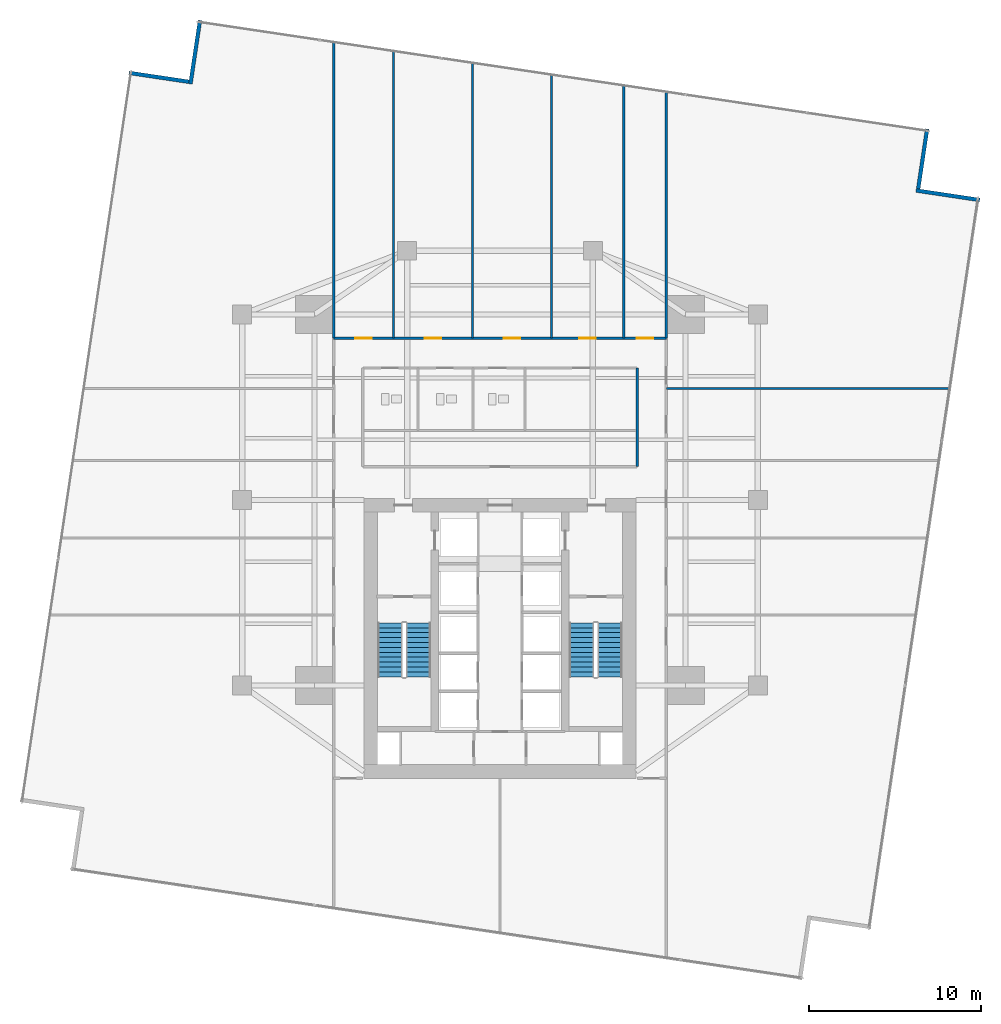
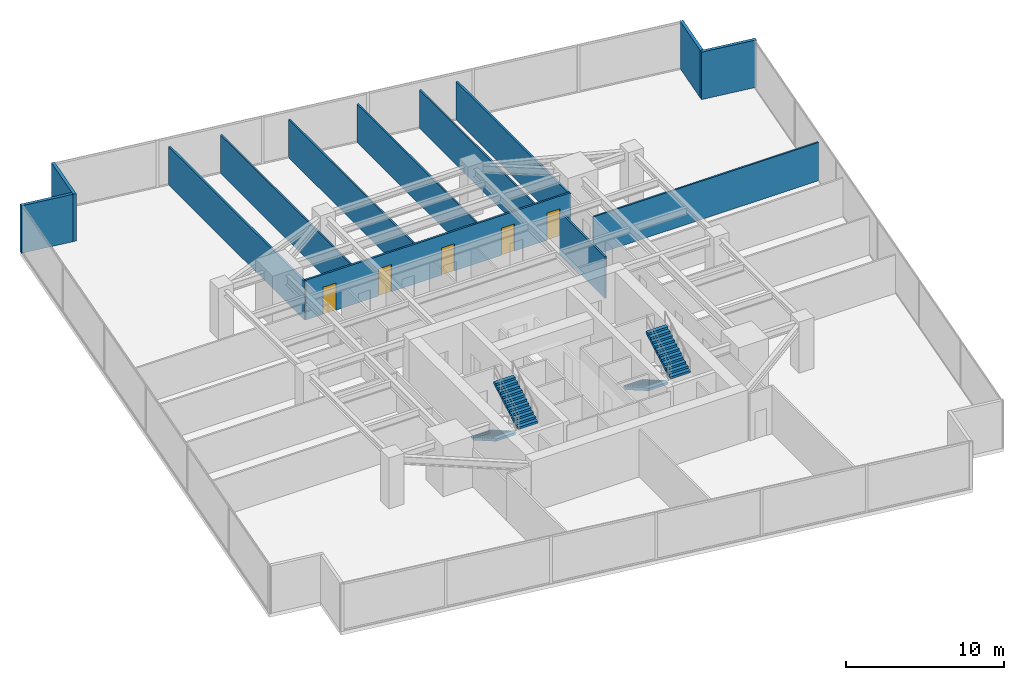
# One storey, part 27 of 29: 13 walls, 5 doors, 4 stair flights, 5 openings, 2 elements without a shape of their own.
"""IFC4 building model written with IfcOpenShell, lengths in metres."""

from ifc_helpers import new_model, si_unit, direction, frame, frame_2d, origin, place, context, subcontext, project, spatial, polyline, rectangle, outline, extrude, material, layer, layer_set, type_object, element, fill, aggregate, save


model = new_model("IFC4")

# Units and contexts
model_context = context("Model", 3, precision=1e-05, world=origin(), true_north=direction((0.0, 1.0)))
body_context = subcontext(model_context, "Body", "Model", "MODEL_VIEW")
ifc_project = project(units=[si_unit("LENGTHUNIT", "METRE"), si_unit("AREAUNIT", "SQUARE_METRE"), si_unit("VOLUMEUNIT", "CUBIC_METRE"), si_unit("PLANEANGLEUNIT", "RADIAN"), si_unit("MASSUNIT", "GRAM", prefix="KILO")], contexts=[model_context])

# Site, building, storey
site_placement = place(None, origin())
site = spatial("IfcSite", under=ifc_project, at=site_placement, CompositionType="ELEMENT")
building_placement = place(site_placement, origin())
building = spatial("IfcBuilding", under=site, at=building_placement, Name="Krantzveldt Concourse Tower", CompositionType="ELEMENT")
storey_placement = place(building_placement, frame((0.0, 0.0, 72.39990234375)))
storey = spatial("IfcBuildingStorey", under=building, at=storey_placement, Name="L17", CompositionType="ELEMENT", Elevation=72.39990234375)

# Walls
ifc_material_1 = material(Name="Anodised aluminium 6063-T6", Category="aluminium")
ifc_layer_1 = layer(ifc_material_1, 0.219970703125, Name="Anodised aluminium 6063-T6", Category="aluminium")
ifc_layer_set_1 = layer_set([ifc_layer_1], Name="Anodised aluminium 6063-T6 (WL-EXT-NOTCH220)")
wall_type_1 = type_object("IfcWallType", Name="WL-EXT-NOTCH220", PredefinedType="ELEMENTEDWALL", material=ifc_layer_set_1)
wall_1_placement = place(storey_placement, frame((17.897705078125, 51.032958984375, 0.0), z_axis=(0.0, 0.0, 1.0), x_axis=(-0.989015973204, 0.147808676155, 0.0)))
element("IfcWall", 1, at=wall_1_placement, inside=storey, type_object=wall_type_1, Name="EW-L17-NCH00", PredefinedType="ELEMENTEDWALL", context=body_context, shape_type="SweptSolid", body=[
    extrude(rectangle(XDim=3.52490234375, YDim=0.219970703125, at=frame_2d((1.762451171875, 0.0))), origin(), (0.0, 0.0, 1.0), 3.670166015625),
])
wall_2_placement = place(storey_placement, frame((63.911865234375, 44.156005859375, 0.0), z_axis=(0.0, 0.0, 1.0), x_axis=(-0.989009392913, 0.147852699435, 0.0)))
element("IfcWall", 2, at=wall_2_placement, inside=storey, type_object=wall_type_1, Name="EW-L17-NCH08", PredefinedType="ELEMENTEDWALL", context=body_context, shape_type="SweptSolid", body=[
    extrude(rectangle(XDim=3.7451171875, YDim=0.219970703125, at=frame_2d((1.87255859375, 0.0))), origin(), (0.0, 0.0, 1.0), 3.670166015625),
])
wall_3_placement = place(storey_placement, frame((60.3330078125, 44.80224609375, 0.0), z_axis=(0.0, 0.0, 1.0), x_axis=(0.147798551521, 0.98901748628, 0.0)))
element("IfcWall", 3, at=wall_3_placement, inside=storey, type_object=wall_type_1, Name="EW-L17-NCH09", PredefinedType="ELEMENTEDWALL", context=body_context, shape_type="SweptSolid", body=[
    extrude(rectangle(XDim=3.525146484375, YDim=0.219970703125, at=frame_2d((1.7626953125, 0.0))), origin(), (0.0, 0.0, 1.0), 3.670166015625),
])
wall_4_placement = place(storey_placement, frame((18.5439453125, 54.61181640625, 0.0), z_axis=(0.0, 0.0, 1.0), x_axis=(-0.147852699435, -0.989009392913, 0.0)))
element("IfcWall", 4, at=wall_4_placement, inside=storey, type_object=wall_type_1, Name="EW-L17-NCH11", PredefinedType="ELEMENTEDWALL", context=body_context, shape_type="SweptSolid", body=[
    extrude(rectangle(XDim=3.7451171875, YDim=0.219970703125, at=frame_2d((1.87255859375, 0.0))), origin(), (0.0, 0.0, 1.0), 3.670166015625),
])
ifc_material_2 = material(Name="Fire-rated gypsum plasterboard on steel stud", Category="steel")
ifc_layer_2 = layer(ifc_material_2, 0.1201171875, Name="Fire-rated gypsum plasterboard on steel stud", Category="steel")
ifc_layer_set_2 = layer_set([ifc_layer_2], Name="Fire-rated gypsum plasterboard on steel stud (WL-PART-120)")
wall_type_2 = type_object("IfcWallType", Name="WL-PART-120", PredefinedType="PARTITIONING", material=ifc_layer_set_2)
wall_5_placement = place(storey_placement, frame((29.800048828125, 36.1201171875, 0.0), z_axis=(0.0, 0.0, 1.0), x_axis=(0.0, 1.0, 0.0)))
element("IfcWall", 5, at=wall_5_placement, inside=storey, type_object=wall_type_2, Name="WP-L17-ND1", PredefinedType="PARTITIONING", context=body_context, shape_type="SweptSolid", body=[
    extrude(rectangle(XDim=16.693115234375, YDim=0.1201171875, at=frame_2d((8.3466796875, 0.0))), origin(), (0.0, 0.0, 1.0), 2.97021484375),
])
wall_6_placement = place(storey_placement, frame((34.39990234375, 36.1201171875, 0.0), z_axis=(0.0, 0.0, 1.0), x_axis=(0.0, 1.0, 0.0)))
element("IfcWall", 6, at=wall_6_placement, inside=storey, type_object=wall_type_2, Name="WP-L17-ND2", PredefinedType="PARTITIONING", context=body_context, shape_type="SweptSolid", body=[
    extrude(rectangle(XDim=16.005615234375, YDim=0.1201171875, at=frame_2d((8.0029296875, 0.0))), origin(), (0.0, 0.0, 1.0), 2.97021484375),
])
wall_7_placement = place(storey_placement, frame((39.0, 36.1201171875, 0.0), z_axis=(0.0, 0.0, 1.0), x_axis=(0.0, 1.0, 0.0)))
element("IfcWall", 7, at=wall_7_placement, inside=storey, type_object=wall_type_2, Name="WP-L17-ND3", PredefinedType="PARTITIONING", context=body_context, shape_type="SweptSolid", body=[
    extrude(rectangle(XDim=15.318115234375, YDim=0.1201171875, at=frame_2d((7.6591796875, 0.0))), origin(), (0.0, 0.0, 1.0), 2.97021484375),
])
wall_8_placement = place(storey_placement, frame((43.199951171875, 36.1201171875, 0.0), z_axis=(0.0, 0.0, 1.0), x_axis=(0.0, 1.0, 0.0)))
element("IfcWall", 8, at=wall_8_placement, inside=storey, type_object=wall_type_2, Name="WP-L17-ND4", PredefinedType="PARTITIONING", context=body_context, shape_type="SweptSolid", body=[
    extrude(rectangle(XDim=14.6904296875, YDim=0.1201171875, at=frame_2d((7.34521484375, 0.0))), origin(), (0.0, 0.0, 1.0), 2.97021484375),
])
wall_9_placement = place(storey_placement, frame((45.679931640625, 33.199951171875, 0.0), z_axis=(0.0, 0.0, 1.0), x_axis=(1.0, 0.0, 0.0)))
element("IfcWall", 9, at=wall_9_placement, inside=storey, type_object=wall_type_2, Name="WP-L17-ED4", PredefinedType="PARTITIONING", context=body_context, shape_type="SweptSolid", body=[
    extrude(rectangle(XDim=16.478271484375, YDim=0.1201171875, at=frame_2d((8.2392578125, 0.0))), origin(), (0.0, 0.0, 1.0), 2.97021484375),
])
ifc_layer_3 = layer(ifc_material_2, 0.139892578125, Name="Fire-rated gypsum plasterboard on steel stud", Category="steel")
ifc_layer_set_3 = layer_set([ifc_layer_3], Name="Fire-rated gypsum plasterboard on steel stud (WL-PART-140)")
wall_type_3 = type_object("IfcWallType", Name="WL-PART-140", PredefinedType="PARTITIONING", material=ifc_layer_set_3)
wall_10_placement = place(storey_placement, frame((43.97998046875, 28.639892578125, 0.0), z_axis=(0.0, 0.0, 1.0), x_axis=(0.0, 1.0, 0.0)))
element("IfcWall", 10, at=wall_10_placement, inside=storey, type_object=wall_type_3, Name="WP-L17-ISLE", PredefinedType="PARTITIONING", context=body_context, shape_type="SweptSolid", body=[
    extrude(rectangle(XDim=5.739990234375, YDim=0.139892578125, at=frame_2d((2.8701171875, 0.0))), origin(), (0.0, 0.0, 1.0), 3.22021484375),
])

# Wall, openings, doors
wall_11_placement = place(storey_placement, frame((26.320068359375, 36.1201171875, 0.0), z_axis=(0.0, 0.0, 1.0), x_axis=(1.0, 0.0, 0.0)))
wall_11 = element("IfcWall", 11, at=wall_11_placement, inside=storey, type_object=wall_type_3, Name="WP-L17-CTOP", PredefinedType="PARTITIONING", context=body_context, shape_type="SweptSolid", body=[
    extrude(rectangle(XDim=19.35986328125, YDim=0.139892578125, at=frame_2d((9.679931640625, 0.0))), origin(), (0.0, 0.0, 1.0), 3.080078125),
])
opening_1_placement = place(wall_11_placement, frame((1.264892578125, 0.0, 0.0)))
opening_1 = element("IfcOpeningElement", 12, at=opening_1_placement, cuts=wall_11, Name="Opening D-IN095", PredefinedType="OPENING", context=body_context, shape_type="SweptSolid", body=[
    extrude(rectangle(XDim=0.949951171875, YDim=2.10009765625, at=frame_2d((0.47509765625, 1.050048828125))), frame((0.0, 0.080078125, 0.0), z_axis=(0.0, -1.0, 0.0), x_axis=(1.0, 0.0, 0.0)), (0.0, 0.0, 1.0), 0.159912109375),
])
opening_2_placement = place(wall_11_placement, frame((5.304931640625, 0.0, 0.0)))
opening_2 = element("IfcOpeningElement", 13, at=opening_2_placement, cuts=wall_11, Name="Opening D-IN095", PredefinedType="OPENING", context=body_context, shape_type="SweptSolid", body=[
    extrude(rectangle(XDim=0.949951171875, YDim=2.10009765625, at=frame_2d((0.47509765625, 1.050048828125))), frame((0.0, 0.080078125, 0.0), z_axis=(0.0, -1.0, 0.0), x_axis=(1.0, 0.0, 0.0)), (0.0, 0.0, 1.0), 0.159912109375),
])
opening_3_placement = place(wall_11_placement, frame((9.905029296875, 0.0, 0.0)))
opening_3 = element("IfcOpeningElement", 14, at=opening_3_placement, cuts=wall_11, Name="Opening D-IN095", PredefinedType="OPENING", context=body_context, shape_type="SweptSolid", body=[
    extrude(rectangle(XDim=0.949951171875, YDim=2.10009765625, at=frame_2d((0.47509765625, 1.050048828125))), frame((0.0, 0.080078125, 0.0), z_axis=(0.0, -1.0, 0.0), x_axis=(1.0, 0.0, 0.0)), (0.0, 0.0, 1.0), 0.159912109375),
])
opening_4_placement = place(wall_11_placement, frame((14.304931640625, 0.0, 0.0)))
opening_4 = element("IfcOpeningElement", 15, at=opening_4_placement, cuts=wall_11, Name="Opening D-IN095", PredefinedType="OPENING", context=body_context, shape_type="SweptSolid", body=[
    extrude(rectangle(XDim=0.949951171875, YDim=2.10009765625, at=frame_2d((0.47509765625, 1.050048828125))), frame((0.0, 0.080078125, 0.0), z_axis=(0.0, -1.0, 0.0), x_axis=(1.0, 0.0, 0.0)), (0.0, 0.0, 1.0), 0.159912109375),
])
opening_5_placement = place(wall_11_placement, frame((17.64501953125, 0.0, 0.0)))
opening_5 = element("IfcOpeningElement", 16, at=opening_5_placement, cuts=wall_11, Name="Opening D-IN095", PredefinedType="OPENING", context=body_context, shape_type="SweptSolid", body=[
    extrude(rectangle(XDim=0.949951171875, YDim=2.10009765625, at=frame_2d((0.47509765625, 1.050048828125))), frame((0.0, 0.080078125, 0.0), z_axis=(0.0, -1.0, 0.0), x_axis=(1.0, 0.0, 0.0)), (0.0, 0.0, 1.0), 0.159912109375),
])
ifc_material_3 = material(Name="Hardwood timber", Category="wood")
door_type = type_object("IfcDoorType", Name="DR-INT-950", OperationType="SINGLE_SWING_LEFT", PredefinedType="DOOR", material=ifc_material_3)
door_1_placement = place(opening_1_placement, origin())
door_1 = element("IfcDoor", 17, at=door_1_placement, inside=storey, type_object=door_type, Name="DR-L17-NR1", OperationType="SINGLE_SWING_LEFT", OverallHeight=2.10009765625, OverallWidth=0.949951171875, PredefinedType="DOOR", context=body_context, shape_type="SweptSolid", body=[
    extrude(rectangle(XDim=0.949951171875, YDim=2.10009765625, at=frame_2d((0.47509765625, 1.050048828125))), frame((0.0, 0.02490234375, 0.0), z_axis=(0.0, -1.0, 0.0), x_axis=(1.0, 0.0, 0.0)), (0.0, 0.0, 1.0), 0.050048828125),
])
fill(opening_1, door_1)
door_2_placement = place(opening_2_placement, origin())
door_2 = element("IfcDoor", 18, at=door_2_placement, inside=storey, type_object=door_type, Name="DR-L17-NR2", OperationType="SINGLE_SWING_LEFT", OverallHeight=2.10009765625, OverallWidth=0.949951171875, PredefinedType="DOOR", context=body_context, shape_type="SweptSolid", body=[
    extrude(rectangle(XDim=0.949951171875, YDim=2.10009765625, at=frame_2d((0.47509765625, 1.050048828125))), frame((0.0, 0.02490234375, 0.0), z_axis=(0.0, -1.0, 0.0), x_axis=(1.0, 0.0, 0.0)), (0.0, 0.0, 1.0), 0.050048828125),
])
fill(opening_2, door_2)
door_3_placement = place(opening_3_placement, origin())
door_3 = element("IfcDoor", 19, at=door_3_placement, inside=storey, type_object=door_type, Name="DR-L17-NR3", OperationType="SINGLE_SWING_LEFT", OverallHeight=2.10009765625, OverallWidth=0.949951171875, PredefinedType="DOOR", context=body_context, shape_type="SweptSolid", body=[
    extrude(rectangle(XDim=0.949951171875, YDim=2.10009765625, at=frame_2d((0.47509765625, 1.050048828125))), frame((0.0, 0.02490234375, 0.0), z_axis=(0.0, -1.0, 0.0), x_axis=(1.0, 0.0, 0.0)), (0.0, 0.0, 1.0), 0.050048828125),
])
fill(opening_3, door_3)
door_4_placement = place(opening_4_placement, origin())
door_4 = element("IfcDoor", 20, at=door_4_placement, inside=storey, type_object=door_type, Name="DR-L17-NR4", OperationType="SINGLE_SWING_LEFT", OverallHeight=2.10009765625, OverallWidth=0.949951171875, PredefinedType="DOOR", context=body_context, shape_type="SweptSolid", body=[
    extrude(rectangle(XDim=0.949951171875, YDim=2.10009765625, at=frame_2d((0.47509765625, 1.050048828125))), frame((0.0, 0.02490234375, 0.0), z_axis=(0.0, -1.0, 0.0), x_axis=(1.0, 0.0, 0.0)), (0.0, 0.0, 1.0), 0.050048828125),
])
fill(opening_4, door_4)
door_5_placement = place(opening_5_placement, origin())
door_5 = element("IfcDoor", 21, at=door_5_placement, inside=storey, type_object=door_type, Name="DR-L17-NR5", OperationType="SINGLE_SWING_LEFT", OverallHeight=2.10009765625, OverallWidth=0.949951171875, PredefinedType="DOOR", context=body_context, shape_type="SweptSolid", body=[
    extrude(rectangle(XDim=0.949951171875, YDim=2.10009765625, at=frame_2d((0.47509765625, 1.050048828125))), frame((0.0, 0.02490234375, 0.0), z_axis=(0.0, -1.0, 0.0), x_axis=(1.0, 0.0, 0.0)), (0.0, 0.0, 1.0), 0.050048828125),
])
fill(opening_5, door_5)

# Walls
wall_12_placement = place(storey_placement, frame((26.320068359375, 36.1201171875, 0.0), z_axis=(0.0, 0.0, 1.0), x_axis=(0.0, 1.0, 0.0)))
element("IfcWall", 22, at=wall_12_placement, inside=storey, type_object=wall_type_3, Name="WP-L17-NWL", PredefinedType="PARTITIONING", context=body_context, shape_type="SweptSolid", body=[
    extrude(rectangle(XDim=17.213134765625, YDim=0.139892578125, at=frame_2d((8.6064453125, 0.0))), origin(), (0.0, 0.0, 1.0), 2.97021484375),
])
wall_13_placement = place(storey_placement, frame((45.679931640625, 36.1201171875, 0.0), z_axis=(0.0, 0.0, 1.0), x_axis=(0.0, 1.0, 0.0)))
element("IfcWall", 23, at=wall_13_placement, inside=storey, type_object=wall_type_3, Name="WP-L17-NER", PredefinedType="PARTITIONING", context=body_context, shape_type="SweptSolid", body=[
    extrude(rectangle(XDim=14.31982421875, YDim=0.139892578125, at=frame_2d((7.159912109375, 0.0))), origin(), (0.0, 0.0, 1.0), 2.97021484375),
])

# Stair, stair flights
ifc_material_4 = material(Name="Precast concrete C40/50", Category="concrete")
stair_type = type_object("IfcStairType", Name="STR-CORE-DOGLEG", PredefinedType="HALF_TURN_STAIR", material=ifc_material_4)
stair_1_placement = place(storey_placement, origin())
stair_1 = element("IfcStair", 24, at=stair_1_placement, inside=storey, type_object=stair_type, Name="L17 Protected Escape Stair ST-1", PredefinedType="HALF_TURN_STAIR")
stair_flight_type = type_object("IfcStairFlightType", Name="STF-CORE-1450", PredefinedType="STRAIGHT", material=ifc_material_4)
stair_flight_1_placement = place(storey_placement, frame((29.60498046875, 19.550048828125, 0.0), z_axis=(0.0, 0.0, 1.0), x_axis=(0.0, -1.0, 0.0)))
stair_flight_1 = element("IfcStairFlight", 25, at=stair_flight_1_placement, type_object=stair_flight_type, Name="ST-1 flight 1", NumberOfRisers=12, NumberOfTreads=11, PredefinedType="STRAIGHT", RiserHeight=0.164583333, TreadLength=0.285, context=body_context, shape_type="SweptSolid", body=[
    extrude(outline(polyline([(0.0, 0.0), (0.0, 0.16455078125), (0.284912109375, 0.16455078125), (0.284912109375, 0.3291015625), (0.570068359375, 0.3291015625), (0.570068359375, 0.49365234375), (0.85498046875, 0.49365234375), (0.85498046875, 0.658447265625), (1.139892578125, 0.658447265625), (1.139892578125, 0.822998046875), (1.425048828125, 0.822998046875), (1.425048828125, 0.987548828125), (1.7099609375, 0.987548828125), (1.7099609375, 1.152099609375), (1.9951171875, 1.152099609375), (1.9951171875, 1.316650390625), (2.280029296875, 1.316650390625), (2.280029296875, 1.481201171875), (2.56494140625, 1.481201171875), (2.56494140625, 1.645751953125), (2.85009765625, 1.645751953125), (2.85009765625, 1.810302734375), (3.135009765625, 1.810302734375), (3.135009765625, 1.97509765625), (3.135009765625, 1.63720703125), (0.2998046875, 0.0), (0.0, 0.0)])), frame((0.0, 0.72509765625, 0.0), z_axis=(0.0, -1.0, 0.0), x_axis=(1.0, 0.0, 0.0)), (0.0, 0.0, 1.0), 1.449951171875),
])
stair_flight_2_placement = place(storey_placement, frame((31.2548828125, 16.4150390625, 1.97509765625), z_axis=(0.0, 0.0, 1.0), x_axis=(0.0, 1.0, 0.0)))
stair_flight_2 = element("IfcStairFlight", 26, at=stair_flight_2_placement, type_object=stair_flight_type, Name="ST-1 flight 2", NumberOfRisers=12, NumberOfTreads=11, PredefinedType="STRAIGHT", RiserHeight=0.164583333, TreadLength=0.285, context=body_context, shape_type="SweptSolid", body=[
    extrude(outline(polyline([(0.0, 0.0), (0.0, 0.16455078125), (0.284912109375, 0.16455078125), (0.284912109375, 0.3291015625), (0.570068359375, 0.3291015625), (0.570068359375, 0.49365234375), (0.85498046875, 0.49365234375), (0.85498046875, 0.658447265625), (1.139892578125, 0.658447265625), (1.139892578125, 0.822998046875), (1.425048828125, 0.822998046875), (1.425048828125, 0.987548828125), (1.7099609375, 0.987548828125), (1.7099609375, 1.152099609375), (1.9951171875, 1.152099609375), (1.9951171875, 1.316650390625), (2.280029296875, 1.316650390625), (2.280029296875, 1.481201171875), (2.56494140625, 1.481201171875), (2.56494140625, 1.645751953125), (2.85009765625, 1.645751953125), (2.85009765625, 1.810302734375), (3.135009765625, 1.810302734375), (3.135009765625, 1.97509765625), (3.135009765625, 1.63720703125), (0.2998046875, 0.0), (0.0, 0.0)])), frame((0.0, 0.72509765625, 0.0), z_axis=(0.0, -1.0, 0.0), x_axis=(1.0, 0.0, 0.0)), (0.0, 0.0, 1.0), 1.449951171875),
])
aggregate(stair_1, [stair_flight_1, stair_flight_2])

stair_2_placement = place(storey_placement, origin())
stair_2 = element("IfcStair", 27, at=stair_2_placement, inside=storey, type_object=stair_type, Name="L17 Protected Escape Stair ST-2", PredefinedType="HALF_TURN_STAIR")
stair_flight_3_placement = place(storey_placement, frame((40.7451171875, 19.550048828125, 0.0), z_axis=(0.0, 0.0, 1.0), x_axis=(0.0, -1.0, 0.0)))
stair_flight_3 = element("IfcStairFlight", 28, at=stair_flight_3_placement, type_object=stair_flight_type, Name="ST-2 flight 1", NumberOfRisers=12, NumberOfTreads=11, PredefinedType="STRAIGHT", RiserHeight=0.164583333, TreadLength=0.285, context=body_context, shape_type="SweptSolid", body=[
    extrude(outline(polyline([(0.0, 0.0), (0.0, 0.16455078125), (0.284912109375, 0.16455078125), (0.284912109375, 0.3291015625), (0.570068359375, 0.3291015625), (0.570068359375, 0.49365234375), (0.85498046875, 0.49365234375), (0.85498046875, 0.658447265625), (1.139892578125, 0.658447265625), (1.139892578125, 0.822998046875), (1.425048828125, 0.822998046875), (1.425048828125, 0.987548828125), (1.7099609375, 0.987548828125), (1.7099609375, 1.152099609375), (1.9951171875, 1.152099609375), (1.9951171875, 1.316650390625), (2.280029296875, 1.316650390625), (2.280029296875, 1.481201171875), (2.56494140625, 1.481201171875), (2.56494140625, 1.645751953125), (2.85009765625, 1.645751953125), (2.85009765625, 1.810302734375), (3.135009765625, 1.810302734375), (3.135009765625, 1.97509765625), (3.135009765625, 1.63720703125), (0.2998046875, 0.0), (0.0, 0.0)])), frame((0.0, 0.72509765625, 0.0), z_axis=(0.0, -1.0, 0.0), x_axis=(1.0, 0.0, 0.0)), (0.0, 0.0, 1.0), 1.449951171875),
])
stair_flight_4_placement = place(storey_placement, frame((42.39501953125, 16.4150390625, 1.97509765625), z_axis=(0.0, 0.0, 1.0), x_axis=(0.0, 1.0, 0.0)))
stair_flight_4 = element("IfcStairFlight", 29, at=stair_flight_4_placement, type_object=stair_flight_type, Name="ST-2 flight 2", NumberOfRisers=12, NumberOfTreads=11, PredefinedType="STRAIGHT", RiserHeight=0.164583333, TreadLength=0.285, context=body_context, shape_type="SweptSolid", body=[
    extrude(outline(polyline([(0.0, 0.0), (0.0, 0.16455078125), (0.284912109375, 0.16455078125), (0.284912109375, 0.3291015625), (0.570068359375, 0.3291015625), (0.570068359375, 0.49365234375), (0.85498046875, 0.49365234375), (0.85498046875, 0.658447265625), (1.139892578125, 0.658447265625), (1.139892578125, 0.822998046875), (1.425048828125, 0.822998046875), (1.425048828125, 0.987548828125), (1.7099609375, 0.987548828125), (1.7099609375, 1.152099609375), (1.9951171875, 1.152099609375), (1.9951171875, 1.316650390625), (2.280029296875, 1.316650390625), (2.280029296875, 1.481201171875), (2.56494140625, 1.481201171875), (2.56494140625, 1.645751953125), (2.85009765625, 1.645751953125), (2.85009765625, 1.810302734375), (3.135009765625, 1.810302734375), (3.135009765625, 1.97509765625), (3.135009765625, 1.63720703125), (0.2998046875, 0.0), (0.0, 0.0)])), frame((0.0, 0.72509765625, 0.0), z_axis=(0.0, -1.0, 0.0), x_axis=(1.0, 0.0, 0.0)), (0.0, 0.0, 1.0), 1.449951171875),
])
aggregate(stair_2, [stair_flight_3, stair_flight_4])

save(model, "model.ifc")
